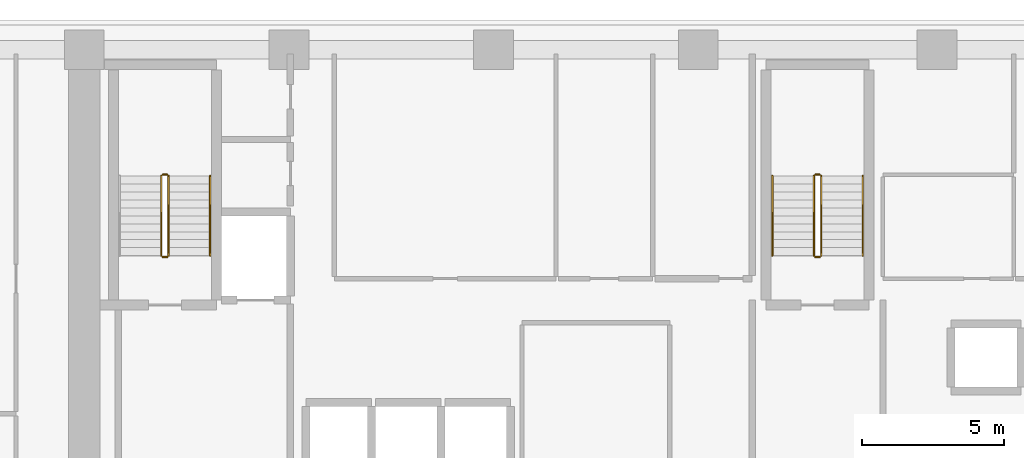
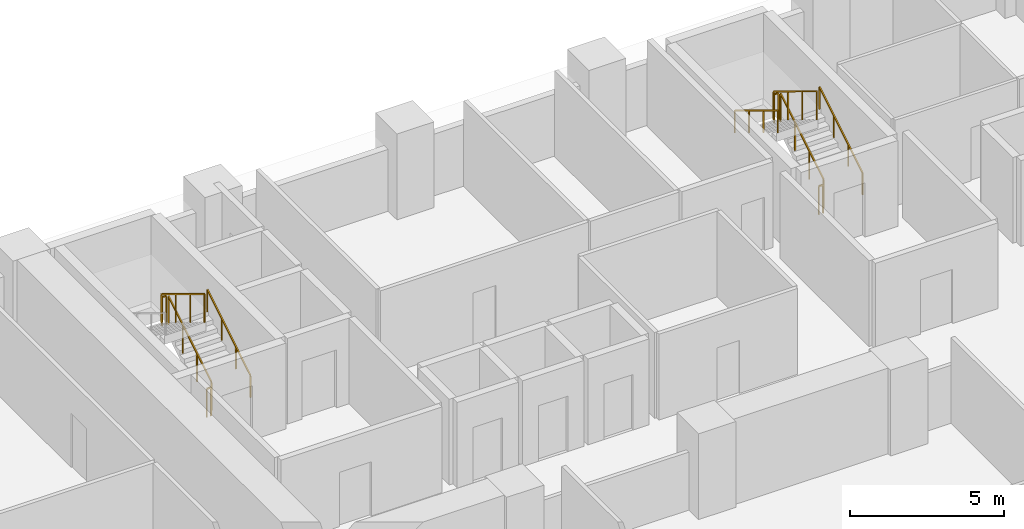
# One storey, part 12 of 14: 11 railings.
"""IFC4 building model written with IfcOpenShell, lengths in metres."""

from ifc_helpers import new_model, si_unit, direction, frame, origin, origin_2d, place, context, subcontext, project, spatial, rectangle, extrude, material, type_object, element, save


model = new_model("IFC4")

# Units and contexts
model_context = context("Model", 3, precision=1e-05, world=origin(), true_north=direction((0.0, 1.0)))
body_context = subcontext(model_context, "Body", "Model", "MODEL_VIEW")
ifc_project = project(units=[si_unit("LENGTHUNIT", "METRE"), si_unit("AREAUNIT", "SQUARE_METRE"), si_unit("VOLUMEUNIT", "CUBIC_METRE"), si_unit("PLANEANGLEUNIT", "RADIAN"), si_unit("MASSUNIT", "GRAM", prefix="KILO")], contexts=[model_context])

# Site, building, storey
site_placement = place(None, origin())
site = spatial("IfcSite", under=ifc_project, at=site_placement, CompositionType="ELEMENT")
building_placement = place(site_placement, origin())
building = spatial("IfcBuilding", under=site, at=building_placement, Name="Kaelvorn Grand Hotel", CompositionType="ELEMENT")
storey_placement = place(building_placement, frame((0.0, 0.0, 76.39990234375)))
storey = spatial("IfcBuildingStorey", under=building, at=storey_placement, Name="L17", CompositionType="ELEMENT", Elevation=76.39990234375)

# Railings
ifc_material = material(Name="Stainless Steel", Category="steel")
railing_type_1 = type_object("IfcRailingType", Name="RL-HANDRAIL-900", PredefinedType="HANDRAIL", material=ifc_material)
for number, where, name in (
    (1, (20.6298828125, 41.760009765625, 0.170654296875), "L17 ST1 stair handrail 1"),
    (2, (43.590087890625, 41.760009765625, 0.170654296875), "L17 ST2 stair handrail 1"),
):
    element("IfcRailing", number, at=place(storey_placement, frame(where)), inside=storey, type_object=railing_type_1, Name=name, PredefinedType="HANDRAIL", context=body_context, shape_type="SweptSolid", body=[
        extrude(rectangle(XDim=0.048095703125, YDim=0.048095703125, at=origin_2d()), frame((0.0, 0.0, 0.8759765625), z_axis=(0.0, 0.854202870247, 0.519939858505), x_axis=(-1.0, 0.0, 0.0)), (0.0, 0.0, 1.0), 3.278076171875),
        extrude(rectangle(XDim=0.0419921875, YDim=0.0419921875, at=origin_2d()), origin(), (0.0, 0.0, 1.0), 0.851806640625),
        extrude(rectangle(XDim=0.0419921875, YDim=0.0419921875, at=origin_2d()), frame((0.0, 0.933349609375, 0.568115234375)), (0.0, 0.0, 1.0), 0.851806640625),
        extrude(rectangle(XDim=0.0419921875, YDim=0.0419921875, at=origin_2d()), frame((0.0, 1.86669921875, 1.13623046875)), (0.0, 0.0, 1.0), 0.851806640625),
        extrude(rectangle(XDim=0.0419921875, YDim=0.0419921875, at=origin_2d()), frame((0.0, 2.800048828125, 1.704345703125)), (0.0, 0.0, 1.0), 0.851806640625),
    ])
railing_1_placement = place(storey_placement, frame((40.409912109375, 44.56005859375, 2.045654296875)))
element("IfcRailing", 3, at=railing_1_placement, inside=storey, type_object=railing_type_1, Name="L17 ST2 stair handrail 2", PredefinedType="HANDRAIL", context=body_context, shape_type="SweptSolid", body=[
    extrude(rectangle(XDim=0.048095703125, YDim=0.048095703125, at=origin_2d()), frame((0.0, 0.0, 0.8759765625), z_axis=(0.0, -0.854202870247, 0.519939858505), x_axis=(1.0, 0.0, 0.0)), (0.0, 0.0, 1.0), 3.278076171875),
    extrude(rectangle(XDim=0.0419921875, YDim=0.0419921875, at=origin_2d()), origin(), (0.0, 0.0, 1.0), 0.851806640625),
    extrude(rectangle(XDim=0.0419921875, YDim=0.0419921875, at=origin_2d()), frame((0.0, -0.933349609375, 0.568115234375)), (0.0, 0.0, 1.0), 0.851806640625),
    extrude(rectangle(XDim=0.0419921875, YDim=0.0419921875, at=origin_2d()), frame((0.0, -1.86669921875, 1.13623046875)), (0.0, 0.0, 1.0), 0.851806640625),
    extrude(rectangle(XDim=0.0419921875, YDim=0.0419921875, at=origin_2d()), frame((0.0, -2.800048828125, 1.704345703125)), (0.0, 0.0, 1.0), 0.851806640625),
])
railing_type_2 = type_object("IfcRailingType", Name="RL-STAIR-GUARD-1150", PredefinedType="BALUSTRADE", material=ifc_material)
railing_2_placement = place(storey_placement, frame((19.169921875, 41.760009765625, 0.170654296875)))
element("IfcRailing", 4, at=railing_2_placement, inside=storey, type_object=railing_type_2, Name="L17 ST1 stair guard 1", PredefinedType="BALUSTRADE", context=body_context, shape_type="SweptSolid", body=[
    extrude(rectangle(XDim=0.048095703125, YDim=0.048095703125, at=origin_2d()), frame((0.0, 0.0, 1.1259765625), z_axis=(0.0, 0.854202870247, 0.519939858505), x_axis=(-1.0, 0.0, 0.0)), (0.0, 0.0, 1.0), 3.278076171875),
    extrude(rectangle(XDim=0.0419921875, YDim=0.0419921875, at=origin_2d()), origin(), (0.0, 0.0, 1.0), 1.101806640625),
    extrude(rectangle(XDim=0.0419921875, YDim=0.0419921875, at=origin_2d()), frame((0.0, 0.933349609375, 0.568115234375)), (0.0, 0.0, 1.0), 1.101806640625),
    extrude(rectangle(XDim=0.0419921875, YDim=0.0419921875, at=origin_2d()), frame((0.0, 1.86669921875, 1.13623046875)), (0.0, 0.0, 1.0), 1.101806640625),
    extrude(rectangle(XDim=0.0419921875, YDim=0.0419921875, at=origin_2d()), frame((0.0, 2.800048828125, 1.704345703125)), (0.0, 0.0, 1.0), 1.101806640625),
])
railing_3_placement = place(storey_placement, frame((19.1201171875, 44.610107421875, 1.875)))
element("IfcRailing", 5, at=railing_3_placement, inside=storey, type_object=railing_type_2, Name="L17 ST1 stair guard 2", PredefinedType="BALUSTRADE", context=body_context, shape_type="SweptSolid", body=[
    extrude(rectangle(XDim=0.048095703125, YDim=0.048095703125, at=origin_2d()), frame((0.0, 0.0, 1.1259765625), z_axis=(-1.0, 0.0, 0.0), x_axis=(0.0, -1.0, 0.0)), (0.0, 0.0, 1.0), 0.16015625),
    extrude(rectangle(XDim=0.0419921875, YDim=0.0419921875, at=origin_2d()), origin(), (0.0, 0.0, 1.0), 1.101806640625),
    extrude(rectangle(XDim=0.0419921875, YDim=0.0419921875, at=origin_2d()), frame((-0.16015625, 0.0, 0.0)), (0.0, 0.0, 1.0), 1.101806640625),
])
railing_4_placement = place(storey_placement, frame((18.909912109375, 44.56005859375, 2.045654296875)))
element("IfcRailing", 6, at=railing_4_placement, inside=storey, type_object=railing_type_2, Name="L17 ST1 stair guard 3", PredefinedType="BALUSTRADE", context=body_context, shape_type="SweptSolid", body=[
    extrude(rectangle(XDim=0.048095703125, YDim=0.048095703125, at=origin_2d()), frame((0.0, 0.0, 1.1259765625), z_axis=(0.0, -0.854202870247, 0.519939858505), x_axis=(1.0, 0.0, 0.0)), (0.0, 0.0, 1.0), 3.278076171875),
    extrude(rectangle(XDim=0.0419921875, YDim=0.0419921875, at=origin_2d()), origin(), (0.0, 0.0, 1.0), 1.101806640625),
    extrude(rectangle(XDim=0.0419921875, YDim=0.0419921875, at=origin_2d()), frame((0.0, -0.933349609375, 0.568115234375)), (0.0, 0.0, 1.0), 1.101806640625),
    extrude(rectangle(XDim=0.0419921875, YDim=0.0419921875, at=origin_2d()), frame((0.0, -1.86669921875, 1.13623046875)), (0.0, 0.0, 1.0), 1.101806640625),
    extrude(rectangle(XDim=0.0419921875, YDim=0.0419921875, at=origin_2d()), frame((0.0, -2.800048828125, 1.704345703125)), (0.0, 0.0, 1.0), 1.101806640625),
])
railing_5_placement = place(storey_placement, frame((19.1201171875, 41.7099609375, 0.0)))
element("IfcRailing", 7, at=railing_5_placement, inside=storey, type_object=railing_type_2, Name="L17 ST1 stair guard 4", PredefinedType="BALUSTRADE", context=body_context, shape_type="SweptSolid", body=[
    extrude(rectangle(XDim=0.048095703125, YDim=0.048095703125, at=origin_2d()), frame((0.0, 0.0, 1.1259765625), z_axis=(-1.0, 0.0, 0.0), x_axis=(0.0, -1.0, 0.0)), (0.0, 0.0, 1.0), 0.16015625),
    extrude(rectangle(XDim=0.0419921875, YDim=0.0419921875, at=origin_2d()), origin(), (0.0, 0.0, 1.0), 1.101806640625),
    extrude(rectangle(XDim=0.0419921875, YDim=0.0419921875, at=origin_2d()), frame((-0.16015625, 0.0, 0.0)), (0.0, 0.0, 1.0), 1.101806640625),
])
railing_6_placement = place(storey_placement, frame((42.1298828125, 41.760009765625, 0.170654296875)))
element("IfcRailing", 8, at=railing_6_placement, inside=storey, type_object=railing_type_2, Name="L17 ST2 stair guard 1", PredefinedType="BALUSTRADE", context=body_context, shape_type="SweptSolid", body=[
    extrude(rectangle(XDim=0.048095703125, YDim=0.048095703125, at=origin_2d()), frame((0.0, 0.0, 1.1259765625), z_axis=(0.0, 0.854202870247, 0.519939858505), x_axis=(-1.0, 0.0, 0.0)), (0.0, 0.0, 1.0), 3.278076171875),
    extrude(rectangle(XDim=0.0419921875, YDim=0.0419921875, at=origin_2d()), origin(), (0.0, 0.0, 1.0), 1.101806640625),
    extrude(rectangle(XDim=0.0419921875, YDim=0.0419921875, at=origin_2d()), frame((0.0, 0.933349609375, 0.568115234375)), (0.0, 0.0, 1.0), 1.101806640625),
    extrude(rectangle(XDim=0.0419921875, YDim=0.0419921875, at=origin_2d()), frame((0.0, 1.86669921875, 1.13623046875)), (0.0, 0.0, 1.0), 1.101806640625),
    extrude(rectangle(XDim=0.0419921875, YDim=0.0419921875, at=origin_2d()), frame((0.0, 2.800048828125, 1.704345703125)), (0.0, 0.0, 1.0), 1.101806640625),
])
railing_7_placement = place(storey_placement, frame((42.080078125, 44.610107421875, 1.875)))
element("IfcRailing", 9, at=railing_7_placement, inside=storey, type_object=railing_type_2, Name="L17 ST2 stair guard 2", PredefinedType="BALUSTRADE", context=body_context, shape_type="SweptSolid", body=[
    extrude(rectangle(XDim=0.048095703125, YDim=0.048095703125, at=origin_2d()), frame((0.0, 0.0, 1.1259765625), z_axis=(-1.0, 0.0, 0.0), x_axis=(0.0, -1.0, 0.0)), (0.0, 0.0, 1.0), 0.16015625),
    extrude(rectangle(XDim=0.0419921875, YDim=0.0419921875, at=origin_2d()), origin(), (0.0, 0.0, 1.0), 1.101806640625),
    extrude(rectangle(XDim=0.0419921875, YDim=0.0419921875, at=origin_2d()), frame((-0.16015625, 0.0, 0.0)), (0.0, 0.0, 1.0), 1.101806640625),
])
railing_8_placement = place(storey_placement, frame((41.8701171875, 44.56005859375, 2.045654296875)))
element("IfcRailing", 10, at=railing_8_placement, inside=storey, type_object=railing_type_2, Name="L17 ST2 stair guard 3", PredefinedType="BALUSTRADE", context=body_context, shape_type="SweptSolid", body=[
    extrude(rectangle(XDim=0.048095703125, YDim=0.048095703125, at=origin_2d()), frame((0.0, 0.0, 1.1259765625), z_axis=(0.0, -0.854202870247, 0.519939858505), x_axis=(1.0, 0.0, 0.0)), (0.0, 0.0, 1.0), 3.278076171875),
    extrude(rectangle(XDim=0.0419921875, YDim=0.0419921875, at=origin_2d()), origin(), (0.0, 0.0, 1.0), 1.101806640625),
    extrude(rectangle(XDim=0.0419921875, YDim=0.0419921875, at=origin_2d()), frame((0.0, -0.933349609375, 0.568115234375)), (0.0, 0.0, 1.0), 1.101806640625),
    extrude(rectangle(XDim=0.0419921875, YDim=0.0419921875, at=origin_2d()), frame((0.0, -1.86669921875, 1.13623046875)), (0.0, 0.0, 1.0), 1.101806640625),
    extrude(rectangle(XDim=0.0419921875, YDim=0.0419921875, at=origin_2d()), frame((0.0, -2.800048828125, 1.704345703125)), (0.0, 0.0, 1.0), 1.101806640625),
])
railing_9_placement = place(storey_placement, frame((42.080078125, 41.7099609375, 0.0)))
element("IfcRailing", 11, at=railing_9_placement, inside=storey, type_object=railing_type_2, Name="L17 ST2 stair guard 4", PredefinedType="BALUSTRADE", context=body_context, shape_type="SweptSolid", body=[
    extrude(rectangle(XDim=0.048095703125, YDim=0.048095703125, at=origin_2d()), frame((0.0, 0.0, 1.1259765625), z_axis=(-1.0, 0.0, 0.0), x_axis=(0.0, -1.0, 0.0)), (0.0, 0.0, 1.0), 0.16015625),
    extrude(rectangle(XDim=0.0419921875, YDim=0.0419921875, at=origin_2d()), origin(), (0.0, 0.0, 1.0), 1.101806640625),
    extrude(rectangle(XDim=0.0419921875, YDim=0.0419921875, at=origin_2d()), frame((-0.16015625, 0.0, 0.0)), (0.0, 0.0, 1.0), 1.101806640625),
])

save(model, "model.ifc")
